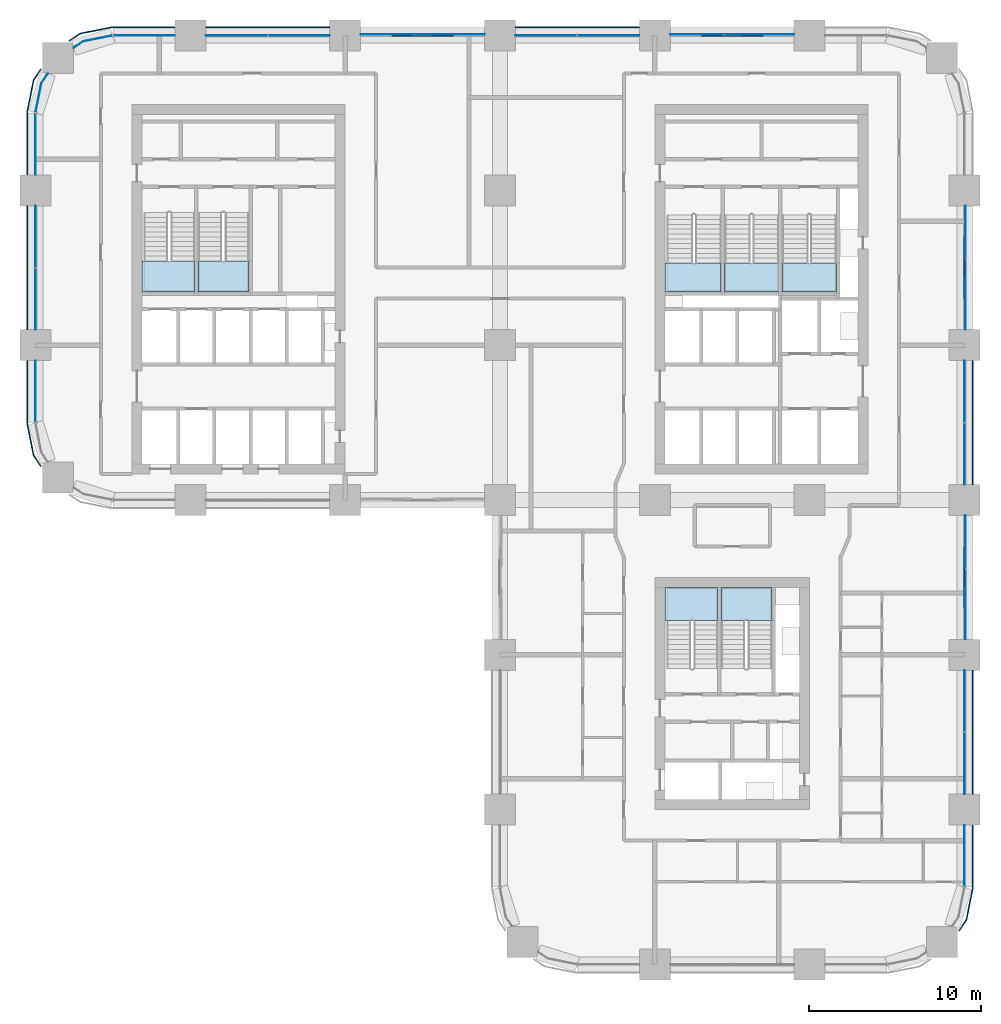
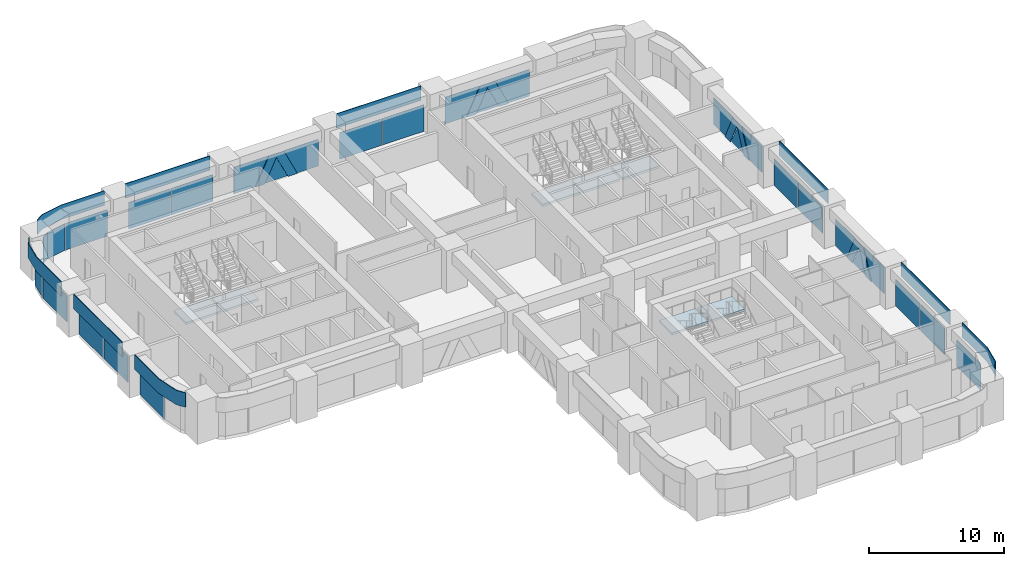
# One storey, part 11 of 24: 41 plates, 7 slabs, 20 elements without a shape of their own.
"""IFC4 building model written with IfcOpenShell, lengths in metres."""

from ifc_helpers import new_model, si_unit, direction, frame, origin, origin_2d, place, context, subcontext, project, spatial, polyline, rectangle, outline, extrude, material, layer, layer_set, type_object, element, aggregate, save


model = new_model("IFC4")

# Units and contexts
model_context = context("Model", 3, precision=1e-05, world=origin(), true_north=direction((0.0, 1.0)))
body_context = subcontext(model_context, "Body", "Model", "MODEL_VIEW")
ifc_project = project(units=[si_unit("LENGTHUNIT", "METRE"), si_unit("AREAUNIT", "SQUARE_METRE"), si_unit("VOLUMEUNIT", "CUBIC_METRE"), si_unit("PLANEANGLEUNIT", "RADIAN"), si_unit("MASSUNIT", "GRAM", prefix="KILO")], contexts=[model_context])

# Site, building, storey
site_placement = place(None, origin())
site = spatial("IfcSite", under=ifc_project, at=site_placement, CompositionType="ELEMENT")
building_placement = place(site_placement, origin())
building = spatial("IfcBuilding", under=site, at=building_placement, Name="Tessera Arch", CompositionType="ELEMENT")
storey_placement = place(building_placement, frame((0.0, 0.0, 112.0)))
storey = spatial("IfcBuildingStorey", under=building, at=storey_placement, Name="L26", CompositionType="ELEMENT", Elevation=112.0)

# Curtain wall, plates
ifc_material_1 = material(Name="CW1 curtain wall")
curtain_wall_type_1 = type_object("IfcCurtainWallType", Name="CW1 curtain wall", PredefinedType="NOTDEFINED", material=ifc_material_1)
curtain_wall_1_placement = place(storey_placement, origin())
curtain_wall_1 = element("IfcCurtainWall", 1, at=curtain_wall_1_placement, inside=storey, type_object=curtain_wall_type_1, Name="CW1 curtain wall N54.0/1 L26", PredefinedType="NOTDEFINED")
ifc_material_2 = material(Name="Clear low-e glass", Category="glass")
ifc_material_3 = material(Name="Clear low-e glass", Category="glass")
ifc_layer_1 = layer(ifc_material_3, 0.028076171875)
ifc_layer_set_1 = layer_set([ifc_layer_1], Name="CW1 glass panel")
plate_type_1 = type_object("IfcPlateType", Name="CW1 glass panel", PredefinedType="CURTAIN_PANEL", material=ifc_layer_set_1)
plate_1_placement = place(storey_placement, frame((33.31494140625, 54.0, 0.0), z_axis=(0.0, 0.0, 1.0), x_axis=(-1.0, 0.0, 0.0)))
plate_1 = element("IfcPlate", 2, at=plate_1_placement, type_object=plate_type_1, material=ifc_material_2, Name="CW1 glass panel N54.0/1 1.1.1", PredefinedType="CURTAIN_PANEL", context=body_context, shape_type="SweptSolid", body=[
    extrude(rectangle(XDim=3.570068359375, YDim=0.028076171875, at=origin_2d()), origin(), (0.0, 0.0, 1.0), 2.39990234375),
])
plate_2_placement = place(storey_placement, frame((29.68505859375, 54.0, 0.0), z_axis=(0.0, 0.0, 1.0), x_axis=(-1.0, 0.0, 0.0)))
plate_2 = element("IfcPlate", 3, at=plate_2_placement, type_object=plate_type_1, material=ifc_material_2, Name="CW1 glass panel N54.0/1 1.2.1", PredefinedType="CURTAIN_PANEL", context=body_context, shape_type="SweptSolid", body=[
    extrude(rectangle(XDim=3.570068359375, YDim=0.028076171875, at=origin_2d()), origin(), (0.0, 0.0, 1.0), 2.39990234375),
])

curtain_wall_2_placement = place(storey_placement, origin())
curtain_wall_2 = element("IfcCurtainWall", 4, at=curtain_wall_2_placement, inside=storey, type_object=curtain_wall_type_1, Name="CW1 curtain wall N54.0/3 L26", PredefinedType="NOTDEFINED")
plate_3_placement = place(storey_placement, frame((15.31494140625, 54.0, 0.0), z_axis=(0.0, 0.0, 1.0), x_axis=(-1.0, 0.0, 0.0)))
plate_3 = element("IfcPlate", 5, at=plate_3_placement, type_object=plate_type_1, material=ifc_material_2, Name="CW1 glass panel N54.0/3 1.1.1", PredefinedType="CURTAIN_PANEL", context=body_context, shape_type="SweptSolid", body=[
    extrude(rectangle(XDim=3.570068359375, YDim=0.028076171875, at=origin_2d()), origin(), (0.0, 0.0, 1.0), 2.39990234375),
])
plate_4_placement = place(storey_placement, frame((11.68505859375, 54.0, 0.0), z_axis=(0.0, 0.0, 1.0), x_axis=(-1.0, 0.0, 0.0)))
plate_4 = element("IfcPlate", 6, at=plate_4_placement, type_object=plate_type_1, material=ifc_material_2, Name="CW1 glass panel N54.0/3 1.2.1", PredefinedType="CURTAIN_PANEL", context=body_context, shape_type="SweptSolid", body=[
    extrude(rectangle(XDim=3.570068359375, YDim=0.028076171875, at=origin_2d()), origin(), (0.0, 0.0, 1.0), 2.39990234375),
])

curtain_wall_3_placement = place(storey_placement, origin())
curtain_wall_3 = element("IfcCurtainWall", 7, at=curtain_wall_3_placement, inside=storey, type_object=curtain_wall_type_1, Name="CW1 curtain wall W0.27/1 L26", PredefinedType="NOTDEFINED")
plate_5_placement = place(storey_placement, frame((0.0, 42.31494140625, 0.0), z_axis=(0.0, 0.0, 1.0), x_axis=(0.0, -1.0, 0.0)))
plate_5 = element("IfcPlate", 8, at=plate_5_placement, type_object=plate_type_1, material=ifc_material_2, Name="CW1 glass panel W0.27/1 1.1.1", PredefinedType="CURTAIN_PANEL", context=body_context, shape_type="SweptSolid", body=[
    extrude(rectangle(XDim=3.570068359375, YDim=0.028076171875, at=origin_2d()), origin(), (0.0, 0.0, 1.0), 2.39990234375),
])
plate_6_placement = place(storey_placement, frame((0.0, 38.68505859375, 0.0), z_axis=(0.0, 0.0, 1.0), x_axis=(0.0, -1.0, 0.0)))
plate_6 = element("IfcPlate", 9, at=plate_6_placement, type_object=plate_type_1, material=ifc_material_2, Name="CW1 glass panel W0.27/1 1.2.1", PredefinedType="CURTAIN_PANEL", context=body_context, shape_type="SweptSolid", body=[
    extrude(rectangle(XDim=3.570068359375, YDim=0.028076171875, at=origin_2d()), origin(), (0.0, 0.0, 1.0), 2.39990234375),
])

curtain_wall_4_placement = place(storey_placement, origin())
curtain_wall_4 = element("IfcCurtainWall", 10, at=curtain_wall_4_placement, inside=storey, type_object=curtain_wall_type_1, Name="CW1 curtain wall E54.0/1 L26", PredefinedType="NOTDEFINED")
plate_7_placement = place(storey_placement, frame((54.0, 11.68505859375, 0.0), z_axis=(0.0, 0.0, 1.0), x_axis=(0.0, 1.0, 0.0)))
plate_7 = element("IfcPlate", 11, at=plate_7_placement, type_object=plate_type_1, material=ifc_material_2, Name="CW1 glass panel E54.0/1 1.1.1", PredefinedType="CURTAIN_PANEL", context=body_context, shape_type="SweptSolid", body=[
    extrude(rectangle(XDim=3.570068359375, YDim=0.028076171875, at=origin_2d()), origin(), (0.0, 0.0, 1.0), 2.39990234375),
])
plate_8_placement = place(storey_placement, frame((54.0, 15.31494140625, 0.0), z_axis=(0.0, 0.0, 1.0), x_axis=(0.0, 1.0, 0.0)))
plate_8 = element("IfcPlate", 12, at=plate_8_placement, type_object=plate_type_1, material=ifc_material_2, Name="CW1 glass panel E54.0/1 1.2.1", PredefinedType="CURTAIN_PANEL", context=body_context, shape_type="SweptSolid", body=[
    extrude(rectangle(XDim=3.570068359375, YDim=0.028076171875, at=origin_2d()), origin(), (0.0, 0.0, 1.0), 2.39990234375),
])

curtain_wall_5_placement = place(storey_placement, origin())
curtain_wall_5 = element("IfcCurtainWall", 13, at=curtain_wall_5_placement, inside=storey, type_object=curtain_wall_type_1, Name="CW1 curtain wall E54.0/3 L26", PredefinedType="NOTDEFINED")
plate_9_placement = place(storey_placement, frame((54.0, 29.68505859375, 0.0), z_axis=(0.0, 0.0, 1.0), x_axis=(0.0, 1.0, 0.0)))
plate_9 = element("IfcPlate", 14, at=plate_9_placement, type_object=plate_type_1, material=ifc_material_2, Name="CW1 glass panel E54.0/3 1.1.1", PredefinedType="CURTAIN_PANEL", context=body_context, shape_type="SweptSolid", body=[
    extrude(rectangle(XDim=3.570068359375, YDim=0.028076171875, at=origin_2d()), origin(), (0.0, 0.0, 1.0), 2.39990234375),
])
plate_10_placement = place(storey_placement, frame((54.0, 33.31494140625, 0.0), z_axis=(0.0, 0.0, 1.0), x_axis=(0.0, 1.0, 0.0)))
plate_10 = element("IfcPlate", 15, at=plate_10_placement, type_object=plate_type_1, material=ifc_material_2, Name="CW1 glass panel E54.0/3 1.2.1", PredefinedType="CURTAIN_PANEL", context=body_context, shape_type="SweptSolid", body=[
    extrude(rectangle(XDim=3.570068359375, YDim=0.028076171875, at=origin_2d()), origin(), (0.0, 0.0, 1.0), 2.39990234375),
])

# Plate
ifc_material_4 = material(Name="Pale anodised aluminium panel", Category="aluminium")
ifc_layer_2 = layer(ifc_material_4, 0.06005859375)
ifc_layer_set_2 = layer_set([ifc_layer_2], Name="CW1 spandrel panel")
plate_type_2 = type_object("IfcPlateType", Name="CW1 spandrel panel", PredefinedType="CURTAIN_PANEL", material=ifc_layer_set_2)
plate_11_placement = place(storey_placement, frame((31.5, 54.47998046875, 2.5), z_axis=(0.0, 0.0, 1.0), x_axis=(-1.0, 0.0, 0.0)))
plate_11 = element("IfcPlate", 16, at=plate_11_placement, type_object=plate_type_2, Name="CW1 spandrel panel N54.0/1", PredefinedType="CURTAIN_PANEL", context=body_context, shape_type="SweptSolid", body=[
    extrude(rectangle(XDim=7.199951171875, YDim=0.06005859375, at=origin_2d()), origin(), (0.0, 0.0, 1.0), 1.300048828125),
])

aggregate(curtain_wall_1, [plate_1, plate_2, plate_11])

plate_12_placement = place(storey_placement, frame((13.5, 54.47998046875, 2.5), z_axis=(0.0, 0.0, 1.0), x_axis=(-1.0, 0.0, 0.0)))
plate_12 = element("IfcPlate", 17, at=plate_12_placement, type_object=plate_type_2, Name="CW1 spandrel panel N54.0/3", PredefinedType="CURTAIN_PANEL", context=body_context, shape_type="SweptSolid", body=[
    extrude(rectangle(XDim=7.199951171875, YDim=0.06005859375, at=origin_2d()), origin(), (0.0, 0.0, 1.0), 1.300048828125),
])

aggregate(curtain_wall_2, [plate_3, plate_4, plate_12])

plate_13_placement = place(storey_placement, frame((-0.47998046875, 40.5, 2.5), z_axis=(0.0, 0.0, 1.0), x_axis=(0.0, -1.0, 0.0)))
plate_13 = element("IfcPlate", 18, at=plate_13_placement, type_object=plate_type_2, Name="CW1 spandrel panel W0.27/1", PredefinedType="CURTAIN_PANEL", context=body_context, shape_type="SweptSolid", body=[
    extrude(rectangle(XDim=7.199951171875, YDim=0.06005859375, at=origin_2d()), origin(), (0.0, 0.0, 1.0), 1.300048828125),
])

aggregate(curtain_wall_3, [plate_5, plate_6, plate_13])

plate_14_placement = place(storey_placement, frame((54.47998046875, 13.5, 2.5), z_axis=(0.0, 0.0, 1.0), x_axis=(0.0, 1.0, 0.0)))
plate_14 = element("IfcPlate", 19, at=plate_14_placement, type_object=plate_type_2, Name="CW1 spandrel panel E54.0/1", PredefinedType="CURTAIN_PANEL", context=body_context, shape_type="SweptSolid", body=[
    extrude(rectangle(XDim=7.199951171875, YDim=0.06005859375, at=origin_2d()), origin(), (0.0, 0.0, 1.0), 1.300048828125),
])

aggregate(curtain_wall_4, [plate_7, plate_8, plate_14])

plate_15_placement = place(storey_placement, frame((54.47998046875, 31.5, 2.5), z_axis=(0.0, 0.0, 1.0), x_axis=(0.0, 1.0, 0.0)))
plate_15 = element("IfcPlate", 20, at=plate_15_placement, type_object=plate_type_2, Name="CW1 spandrel panel E54.0/3", PredefinedType="CURTAIN_PANEL", context=body_context, shape_type="SweptSolid", body=[
    extrude(rectangle(XDim=7.199951171875, YDim=0.06005859375, at=origin_2d()), origin(), (0.0, 0.0, 1.0), 1.300048828125),
])

aggregate(curtain_wall_5, [plate_9, plate_10, plate_15])

# Curtain wall, plates
ifc_material_5 = material(Name="CW2 curtain wall")
curtain_wall_type_2 = type_object("IfcCurtainWallType", Name="CW2 curtain wall", PredefinedType="NOTDEFINED", material=ifc_material_5)
curtain_wall_6_placement = place(storey_placement, origin())
curtain_wall_6 = element("IfcCurtainWall", 21, at=curtain_wall_6_placement, inside=storey, type_object=curtain_wall_type_2, Name="CW2 curtain wall N54.0/4 L26", PredefinedType="NOTDEFINED")
ifc_material_6 = material(Name="Clear low-e glass", Category="glass")
ifc_layer_3 = layer(ifc_material_6, 0.028076171875)
ifc_layer_set_3 = layer_set([ifc_layer_3], Name="CW2 glass panel")
plate_type_3 = type_object("IfcPlateType", Name="CW2 glass panel", PredefinedType="CURTAIN_PANEL", material=ifc_layer_set_3)
plate_16_placement = place(storey_placement, frame((6.320068359375, 54.0, 0.0), z_axis=(0.0, 0.0, 1.0), x_axis=(-1.0, 0.0, 0.0)))
plate_16 = element("IfcPlate", 22, at=plate_16_placement, type_object=plate_type_3, material=ifc_material_2, Name="CW2 glass panel N54.0/4 1.1", PredefinedType="CURTAIN_PANEL", context=body_context, shape_type="SweptSolid", body=[
    extrude(rectangle(XDim=3.56005859375, YDim=0.028076171875, at=origin_2d()), origin(), (0.0, 0.0, 1.0), 2.39990234375),
])
plate_17_placement = place(storey_placement, origin())
plate_17 = element("IfcPlate", 23, at=plate_17_placement, type_object=plate_type_3, material=ifc_material_2, Name="CW2 curved glass panel N54.0/4 2.1", PredefinedType="CURTAIN_PANEL", context=body_context, shape_type="SweptSolid", body=[
    extrude(outline(polyline([(2.783447265625, 53.644287109375), (4.46337890625, 53.978515625), (4.4580078125, 54.005859375), (2.7724609375, 53.670654296875), (2.210205078125, 53.294921875), (2.225830078125, 53.271728515625), (2.783447265625, 53.644287109375)])), origin(), (0.0, 0.0, 1.0), 2.39990234375),
])

curtain_wall_7_placement = place(storey_placement, origin())
curtain_wall_7 = element("IfcCurtainWall", 24, at=curtain_wall_7_placement, inside=storey, type_object=curtain_wall_type_2, Name="CW2 curtain wall W0.27/0 L26", PredefinedType="NOTDEFINED")
plate_18_placement = place(storey_placement, frame((0.0, 47.679931640625, 0.0), z_axis=(0.0, 0.0, 1.0), x_axis=(0.0, -1.0, 0.0)))
plate_18 = element("IfcPlate", 25, at=plate_18_placement, type_object=plate_type_3, material=ifc_material_2, Name="CW2 glass panel W0.27/0 1.1", PredefinedType="CURTAIN_PANEL", context=body_context, shape_type="SweptSolid", body=[
    extrude(rectangle(XDim=3.56005859375, YDim=0.028076171875, at=origin_2d()), origin(), (0.0, 0.0, 1.0), 2.39990234375),
])
plate_19_placement = place(storey_placement, origin())
plate_19 = element("IfcPlate", 26, at=plate_19_placement, type_object=plate_type_3, material=ifc_material_2, Name="CW2 curved glass panel W0.27/0 2.1", PredefinedType="CURTAIN_PANEL", context=body_context, shape_type="SweptSolid", body=[
    extrude(outline(polyline([(0.355712890625, 51.216552734375), (0.728271484375, 51.774169921875), (0.705078125, 51.789794921875), (0.329345703125, 51.2275390625), (-0.005859375, 49.5419921875), (0.021484375, 49.53662109375), (0.355712890625, 51.216552734375)])), origin(), (0.0, 0.0, 1.0), 2.39990234375),
])

# Curtain wall, plate
curtain_wall_8_placement = place(storey_placement, origin())
curtain_wall_8 = element("IfcCurtainWall", 27, at=curtain_wall_8_placement, inside=storey, type_object=curtain_wall_type_2, Name="CW2 curtain wall W0.27/2 L26", PredefinedType="NOTDEFINED")
plate_20_placement = place(storey_placement, frame((0.0, 33.320068359375, 0.0), z_axis=(0.0, 0.0, 1.0), x_axis=(0.0, -1.0, 0.0)))
plate_20 = element("IfcPlate", 28, at=plate_20_placement, type_object=plate_type_3, material=ifc_material_2, Name="CW2 glass panel W0.27/2 1.1", PredefinedType="CURTAIN_PANEL", context=body_context, shape_type="SweptSolid", body=[
    extrude(rectangle(XDim=3.56005859375, YDim=0.028076171875, at=origin_2d()), origin(), (0.0, 0.0, 1.0), 2.39990234375),
])

curtain_wall_9_placement = place(storey_placement, origin())
curtain_wall_9 = element("IfcCurtainWall", 29, at=curtain_wall_9_placement, inside=storey, type_object=curtain_wall_type_2, Name="CW2 curtain wall E54.0/0 L26", PredefinedType="NOTDEFINED")
plate_21_placement = place(storey_placement, frame((54.0, 6.320068359375, 0.0), z_axis=(0.0, 0.0, 1.0), x_axis=(0.0, 1.0, 0.0)))
plate_21 = element("IfcPlate", 30, at=plate_21_placement, type_object=plate_type_3, material=ifc_material_2, Name="CW2 glass panel E54.0/0 1.1", PredefinedType="CURTAIN_PANEL", context=body_context, shape_type="SweptSolid", body=[
    extrude(rectangle(XDim=3.56005859375, YDim=0.028076171875, at=origin_2d()), origin(), (0.0, 0.0, 1.0), 2.39990234375),
])

# Plate
ifc_material_7 = material(Name="Pale anodised aluminium panel", Category="aluminium")
ifc_layer_4 = layer(ifc_material_7, 0.06005859375)
ifc_layer_set_4 = layer_set([ifc_layer_4], Name="CW2 spandrel panel")
plate_type_4 = type_object("IfcPlateType", Name="CW2 spandrel panel", PredefinedType="CURTAIN_PANEL", material=ifc_layer_set_4)
plate_22_placement = place(storey_placement, frame((0.0, 0.0, 2.5)))
plate_22 = element("IfcPlate", 31, at=plate_22_placement, type_object=plate_type_4, Name="CW2 spandrel panel N54.0/4", PredefinedType="CURTAIN_PANEL", context=body_context, shape_type="SweptSolid", body=[
    extrude(outline(polyline([(4.500732421875, 54.449951171875), (8.10009765625, 54.449951171875), (8.10009765625, 54.510009765625), (4.499267578125, 54.510009765625), (4.449951171875, 54.507568359375), (4.401123046875, 54.500244140625), (2.677734375, 54.157470703125), (2.6298828125, 54.1455078125), (2.582763671875, 54.128662109375), (2.537353515625, 54.107177734375), (2.4951171875, 54.08203125), (1.9345703125, 53.707275390625), (1.968017578125, 53.657470703125), (2.52734375, 54.03125), (2.565673828125, 54.05419921875), (2.605712890625, 54.0732421875), (2.647216796875, 54.088134765625), (2.69091796875, 54.09912109375), (4.411376953125, 54.441162109375), (4.455810546875, 54.44775390625), (4.500732421875, 54.449951171875)])), origin(), (0.0, 0.0, 1.0), 1.300048828125),
])

aggregate(curtain_wall_6, [plate_16, plate_17, plate_22])

plate_23_placement = place(storey_placement, frame((0.0, 0.0, 2.5)))
plate_23 = element("IfcPlate", 32, at=plate_23_placement, type_object=plate_type_4, Name="CW2 spandrel panel W0.27/0", PredefinedType="CURTAIN_PANEL", context=body_context, shape_type="SweptSolid", body=[
    extrude(outline(polyline([(-0.03125, 51.47265625), (0.342529296875, 52.031982421875), (0.292724609375, 52.0654296875), (-0.08203125, 51.5048828125), (-0.107177734375, 51.462646484375), (-0.128662109375, 51.417236328125), (-0.1455078125, 51.3701171875), (-0.157470703125, 51.322265625), (-0.500244140625, 49.598876953125), (-0.507568359375, 49.550048828125), (-0.510009765625, 49.500732421875), (-0.510009765625, 45.89990234375), (-0.449951171875, 45.89990234375), (-0.449951171875, 49.499267578125), (-0.44775390625, 49.544189453125), (-0.441162109375, 49.588623046875), (-0.09912109375, 51.30908203125), (-0.088134765625, 51.352783203125), (-0.0732421875, 51.394287109375), (-0.05419921875, 51.434326171875), (-0.03125, 51.47265625)])), origin(), (0.0, 0.0, 1.0), 1.300048828125),
])

aggregate(curtain_wall_7, [plate_18, plate_19, plate_23])

plate_24_placement = place(storey_placement, frame((0.0, 0.0, 2.5)))
plate_24 = element("IfcPlate", 33, at=plate_24_placement, type_object=plate_type_4, Name="CW2 spandrel panel W0.27/2", PredefinedType="CURTAIN_PANEL", context=body_context, shape_type="SweptSolid", body=[
    extrude(outline(polyline([(-0.449951171875, 31.500732421875), (-0.449951171875, 35.10009765625), (-0.510009765625, 35.10009765625), (-0.510009765625, 31.499267578125), (-0.507568359375, 31.449951171875), (-0.500244140625, 31.401123046875), (-0.157470703125, 29.677734375), (-0.1455078125, 29.6298828125), (-0.128662109375, 29.582763671875), (-0.107177734375, 29.537353515625), (-0.08203125, 29.4951171875), (0.292724609375, 28.9345703125), (0.342529296875, 28.968017578125), (-0.03125, 29.52734375), (-0.05419921875, 29.565673828125), (-0.0732421875, 29.605712890625), (-0.088134765625, 29.647216796875), (-0.09912109375, 29.69091796875), (-0.441162109375, 31.411376953125), (-0.44775390625, 31.455810546875), (-0.449951171875, 31.500732421875)])), origin(), (0.0, 0.0, 1.0), 1.300048828125),
])

aggregate(curtain_wall_8, [plate_20, plate_24])

plate_25_placement = place(storey_placement, frame((0.0, 0.0, 2.5)))
plate_25 = element("IfcPlate", 34, at=plate_25_placement, type_object=plate_type_4, Name="CW2 spandrel panel E54.0/0", PredefinedType="CURTAIN_PANEL", context=body_context, shape_type="SweptSolid", body=[
    extrude(outline(polyline([(54.03125, 2.52734375), (53.657470703125, 1.968017578125), (53.707275390625, 1.9345703125), (54.08203125, 2.4951171875), (54.107177734375, 2.537353515625), (54.128662109375, 2.582763671875), (54.1455078125, 2.6298828125), (54.157470703125, 2.677734375), (54.500244140625, 4.401123046875), (54.507568359375, 4.449951171875), (54.510009765625, 4.499267578125), (54.510009765625, 8.10009765625), (54.449951171875, 8.10009765625), (54.449951171875, 4.500732421875), (54.44775390625, 4.455810546875), (54.441162109375, 4.411376953125), (54.09912109375, 2.69091796875), (54.088134765625, 2.647216796875), (54.0732421875, 2.605712890625), (54.05419921875, 2.565673828125), (54.03125, 2.52734375)])), origin(), (0.0, 0.0, 1.0), 1.300048828125),
])

aggregate(curtain_wall_9, [plate_21, plate_25])

# Curtain wall, plate
ifc_material_8 = material(Name="CW3 curtain wall")
curtain_wall_type_3 = type_object("IfcCurtainWallType", Name="CW3 curtain wall", PredefinedType="NOTDEFINED", material=ifc_material_8)
curtain_wall_10_placement = place(storey_placement, origin())
curtain_wall_10 = element("IfcCurtainWall", 35, at=curtain_wall_10_placement, inside=storey, type_object=curtain_wall_type_3, Name="CW3 curtain wall N54.0/0 L26", PredefinedType="NOTDEFINED")
ifc_material_9 = material(Name="Pale anodised aluminium panel", Category="aluminium")
ifc_layer_5 = layer(ifc_material_9, 0.06005859375)
ifc_layer_set_5 = layer_set([ifc_layer_5], Name="CW3 diagonal panel")
plate_type_5 = type_object("IfcPlateType", Name="CW3 diagonal panel", PredefinedType="CURTAIN_PANEL", material=ifc_layer_set_5)
plate_26_placement = place(storey_placement, frame((39.85986328125, 54.030029296875, 2.39990234375), z_axis=(0.0, 1.0, 0.0), x_axis=(1.0, 0.0, 0.0)))
plate_26 = element("IfcPlate", 36, at=plate_26_placement, type_object=plate_type_5, Name="CW3 diagonal panel N54.0/0 1", PredefinedType="CURTAIN_PANEL", context=body_context, shape_type="SweptSolid", body=[
    extrude(outline(polyline([(0.0, 0.0), (1.2802734375, 0.0), (2.43212890625, 2.39990234375), (1.632080078125, 2.39990234375), (0.64013671875, 0.33349609375), (-0.351806640625, 2.39990234375), (-1.15185546875, 2.39990234375), (0.0, 0.0)])), origin(), (0.0, 0.0, -1.0), 0.06005859375),
])

curtain_wall_11_placement = place(storey_placement, origin())
curtain_wall_11 = element("IfcCurtainWall", 37, at=curtain_wall_11_placement, inside=storey, type_object=curtain_wall_type_3, Name="CW3 curtain wall N54.0/2 L26", PredefinedType="NOTDEFINED")
plate_27_placement = place(storey_placement, frame((21.85986328125, 54.030029296875, 2.39990234375), z_axis=(0.0, 1.0, 0.0), x_axis=(1.0, 0.0, 0.0)))
plate_27 = element("IfcPlate", 38, at=plate_27_placement, type_object=plate_type_5, Name="CW3 diagonal panel N54.0/2 1", PredefinedType="CURTAIN_PANEL", context=body_context, shape_type="SweptSolid", body=[
    extrude(outline(polyline([(0.0, 0.0), (1.2802734375, 0.0), (2.43212890625, 2.39990234375), (1.632080078125, 2.39990234375), (0.64013671875, 0.33349609375), (-0.351806640625, 2.39990234375), (-1.15185546875, 2.39990234375), (0.0, 0.0)])), origin(), (0.0, 0.0, -1.0), 0.06005859375),
])

curtain_wall_12_placement = place(storey_placement, origin())
curtain_wall_12 = element("IfcCurtainWall", 39, at=curtain_wall_12_placement, inside=storey, type_object=curtain_wall_type_3, Name="CW3 curtain wall E54.0/2 L26", PredefinedType="NOTDEFINED")
plate_28_placement = place(storey_placement, frame((54.030029296875, 23.14013671875, 2.39990234375), z_axis=(1.0, 0.0, 0.0), x_axis=(0.0, -1.0, 0.0)))
plate_28 = element("IfcPlate", 40, at=plate_28_placement, type_object=plate_type_5, Name="CW3 diagonal panel E54.0/2 1", PredefinedType="CURTAIN_PANEL", context=body_context, shape_type="SweptSolid", body=[
    extrude(outline(polyline([(0.0, 0.0), (1.2802734375, 0.0), (2.43212890625, 2.39990234375), (1.632080078125, 2.39990234375), (0.64013671875, 0.33349609375), (-0.351806640625, 2.39990234375), (-1.15185546875, 2.39990234375), (0.0, 0.0)])), origin(), (0.0, 0.0, -1.0), 0.06005859375),
])

curtain_wall_13_placement = place(storey_placement, origin())
curtain_wall_13 = element("IfcCurtainWall", 41, at=curtain_wall_13_placement, inside=storey, type_object=curtain_wall_type_3, Name="CW3 curtain wall E54.0/4 L26", PredefinedType="NOTDEFINED")
plate_29_placement = place(storey_placement, frame((54.030029296875, 41.14013671875, 2.39990234375), z_axis=(1.0, 0.0, 0.0), x_axis=(0.0, -1.0, 0.0)))
plate_29 = element("IfcPlate", 42, at=plate_29_placement, type_object=plate_type_5, Name="CW3 diagonal panel E54.0/4 1", PredefinedType="CURTAIN_PANEL", context=body_context, shape_type="SweptSolid", body=[
    extrude(outline(polyline([(0.0, 0.0), (1.2802734375, 0.0), (2.43212890625, 2.39990234375), (1.632080078125, 2.39990234375), (0.64013671875, 0.33349609375), (-0.351806640625, 2.39990234375), (-1.15185546875, 2.39990234375), (0.0, 0.0)])), origin(), (0.0, 0.0, -1.0), 0.06005859375),
])

# Plate
ifc_material_10 = material(Name="Clear low-e glass", Category="glass")
ifc_layer_6 = layer(ifc_material_10, 0.028076171875)
ifc_layer_set_6 = layer_set([ifc_layer_6], Name="CW3 glass panel")
plate_type_6 = type_object("IfcPlateType", Name="CW3 glass panel", PredefinedType="CURTAIN_PANEL", material=ifc_layer_set_6)
plate_30_placement = place(storey_placement, frame((44.10009765625, 54.05810546875, 0.0), z_axis=(0.0, 1.0, 0.0), x_axis=(-1.0, 0.0, 0.0)))
plate_30 = element("IfcPlate", 43, at=plate_30_placement, type_object=plate_type_6, material=ifc_material_2, Name="CW3 triangulated glass panel N54.0/0 1", PredefinedType="CURTAIN_PANEL", context=body_context, shape_type="SweptSolid", body=[
    extrude(outline(polyline([(0.0, 0.0), (1.80810546875, 0.0), (2.9599609375, 2.39990234375), (0.0, 2.39990234375), (0.0, 0.0)])), origin(), (0.0, 0.0, -1.0), 0.028076171875),
])

plate_31_placement = place(storey_placement, frame((41.491943359375, 54.0859375, 0.0), z_axis=(0.0, 1.0, 0.0), x_axis=(-1.0, 0.0, 0.0)))
plate_31 = element("IfcPlate", 44, at=plate_31_placement, type_object=plate_type_6, material=ifc_material_2, Name="CW3 triangulated glass panel N54.0/0 2", PredefinedType="CURTAIN_PANEL", context=body_context, shape_type="SweptSolid", body=[
    extrude(outline(polyline([(0.0, 0.0), (1.98388671875, 0.0), (0.991943359375, 2.06640625), (0.0, 0.0)])), origin(), (0.0, 0.0, -1.0), 0.028076171875),
])

plate_32_placement = place(storey_placement, frame((36.89990234375, 54.05810546875, 2.39990234375), z_axis=(0.0, 1.0, 0.0), x_axis=(1.0, 0.0, 0.0)))
plate_32 = element("IfcPlate", 45, at=plate_32_placement, type_object=plate_type_6, material=ifc_material_2, Name="CW3 triangulated glass panel N54.0/0 3", PredefinedType="CURTAIN_PANEL", context=body_context, shape_type="SweptSolid", body=[
    extrude(outline(polyline([(0.0, 0.0), (2.9599609375, 0.0), (1.80810546875, 2.39990234375), (0.0, 2.39990234375), (0.0, 0.0)])), origin(), (0.0, 0.0, -1.0), 0.028076171875),
])

aggregate(curtain_wall_10, [plate_30, plate_31, plate_32, plate_26])

plate_33_placement = place(storey_placement, frame((26.10009765625, 54.05810546875, 0.0), z_axis=(0.0, 1.0, 0.0), x_axis=(-1.0, 0.0, 0.0)))
plate_33 = element("IfcPlate", 46, at=plate_33_placement, type_object=plate_type_6, material=ifc_material_2, Name="CW3 triangulated glass panel N54.0/2 1", PredefinedType="CURTAIN_PANEL", context=body_context, shape_type="SweptSolid", body=[
    extrude(outline(polyline([(0.0, 0.0), (1.80810546875, 0.0), (2.9599609375, 2.39990234375), (0.0, 2.39990234375), (0.0, 0.0)])), origin(), (0.0, 0.0, -1.0), 0.028076171875),
])

plate_34_placement = place(storey_placement, frame((23.491943359375, 54.0859375, 0.0), z_axis=(0.0, 1.0, 0.0), x_axis=(-1.0, 0.0, 0.0)))
plate_34 = element("IfcPlate", 47, at=plate_34_placement, type_object=plate_type_6, material=ifc_material_2, Name="CW3 triangulated glass panel N54.0/2 2", PredefinedType="CURTAIN_PANEL", context=body_context, shape_type="SweptSolid", body=[
    extrude(outline(polyline([(0.0, 0.0), (1.98388671875, 0.0), (0.991943359375, 2.06640625), (0.0, 0.0)])), origin(), (0.0, 0.0, -1.0), 0.028076171875),
])

plate_35_placement = place(storey_placement, frame((18.89990234375, 54.05810546875, 2.39990234375), z_axis=(0.0, 1.0, 0.0), x_axis=(1.0, 0.0, 0.0)))
plate_35 = element("IfcPlate", 48, at=plate_35_placement, type_object=plate_type_6, material=ifc_material_2, Name="CW3 triangulated glass panel N54.0/2 3", PredefinedType="CURTAIN_PANEL", context=body_context, shape_type="SweptSolid", body=[
    extrude(outline(polyline([(0.0, 0.0), (2.9599609375, 0.0), (1.80810546875, 2.39990234375), (0.0, 2.39990234375), (0.0, 0.0)])), origin(), (0.0, 0.0, -1.0), 0.028076171875),
])

aggregate(curtain_wall_11, [plate_33, plate_34, plate_35, plate_27])

plate_36_placement = place(storey_placement, frame((54.05810546875, 18.89990234375, 0.0), z_axis=(1.0, 0.0, 0.0), x_axis=(0.0, 1.0, 0.0)))
plate_36 = element("IfcPlate", 49, at=plate_36_placement, type_object=plate_type_6, material=ifc_material_2, Name="CW3 triangulated glass panel E54.0/2 1", PredefinedType="CURTAIN_PANEL", context=body_context, shape_type="SweptSolid", body=[
    extrude(outline(polyline([(0.0, 0.0), (1.80810546875, 0.0), (2.9599609375, 2.39990234375), (0.0, 2.39990234375), (0.0, 0.0)])), origin(), (0.0, 0.0, -1.0), 0.028076171875),
])

plate_37_placement = place(storey_placement, frame((54.0859375, 21.508056640625, 0.0), z_axis=(1.0, 0.0, 0.0), x_axis=(0.0, 1.0, 0.0)))
plate_37 = element("IfcPlate", 50, at=plate_37_placement, type_object=plate_type_6, material=ifc_material_2, Name="CW3 triangulated glass panel E54.0/2 2", PredefinedType="CURTAIN_PANEL", context=body_context, shape_type="SweptSolid", body=[
    extrude(outline(polyline([(0.0, 0.0), (1.98388671875, 0.0), (0.991943359375, 2.06640625), (0.0, 0.0)])), origin(), (0.0, 0.0, -1.0), 0.028076171875),
])

plate_38_placement = place(storey_placement, frame((54.05810546875, 26.10009765625, 2.39990234375), z_axis=(1.0, 0.0, 0.0), x_axis=(0.0, -1.0, 0.0)))
plate_38 = element("IfcPlate", 51, at=plate_38_placement, type_object=plate_type_6, material=ifc_material_2, Name="CW3 triangulated glass panel E54.0/2 3", PredefinedType="CURTAIN_PANEL", context=body_context, shape_type="SweptSolid", body=[
    extrude(outline(polyline([(0.0, 0.0), (2.9599609375, 0.0), (1.80810546875, 2.39990234375), (0.0, 2.39990234375), (0.0, 0.0)])), origin(), (0.0, 0.0, -1.0), 0.028076171875),
])

aggregate(curtain_wall_12, [plate_36, plate_37, plate_38, plate_28])

plate_39_placement = place(storey_placement, frame((54.05810546875, 36.89990234375, 0.0), z_axis=(1.0, 0.0, 0.0), x_axis=(0.0, 1.0, 0.0)))
plate_39 = element("IfcPlate", 52, at=plate_39_placement, type_object=plate_type_6, material=ifc_material_2, Name="CW3 triangulated glass panel E54.0/4 1", PredefinedType="CURTAIN_PANEL", context=body_context, shape_type="SweptSolid", body=[
    extrude(outline(polyline([(0.0, 0.0), (1.80810546875, 0.0), (2.9599609375, 2.39990234375), (0.0, 2.39990234375), (0.0, 0.0)])), origin(), (0.0, 0.0, -1.0), 0.028076171875),
])

plate_40_placement = place(storey_placement, frame((54.0859375, 39.508056640625, 0.0), z_axis=(1.0, 0.0, 0.0), x_axis=(0.0, 1.0, 0.0)))
plate_40 = element("IfcPlate", 53, at=plate_40_placement, type_object=plate_type_6, material=ifc_material_2, Name="CW3 triangulated glass panel E54.0/4 2", PredefinedType="CURTAIN_PANEL", context=body_context, shape_type="SweptSolid", body=[
    extrude(outline(polyline([(0.0, 0.0), (1.98388671875, 0.0), (0.991943359375, 2.06640625), (0.0, 0.0)])), origin(), (0.0, 0.0, -1.0), 0.028076171875),
])

plate_41_placement = place(storey_placement, frame((54.05810546875, 44.10009765625, 2.39990234375), z_axis=(1.0, 0.0, 0.0), x_axis=(0.0, -1.0, 0.0)))
plate_41 = element("IfcPlate", 54, at=plate_41_placement, type_object=plate_type_6, material=ifc_material_2, Name="CW3 triangulated glass panel E54.0/4 3", PredefinedType="CURTAIN_PANEL", context=body_context, shape_type="SweptSolid", body=[
    extrude(outline(polyline([(0.0, 0.0), (2.9599609375, 0.0), (1.80810546875, 2.39990234375), (0.0, 2.39990234375), (0.0, 0.0)])), origin(), (0.0, 0.0, -1.0), 0.028076171875),
])

aggregate(curtain_wall_13, [plate_39, plate_40, plate_41, plate_29])

# Stair, slab
ifc_material_11 = material(Name="Concrete C40/50", Category="concrete")
stair_type_1 = type_object("IfcStairType", Name="Dogleg stair 1520", PredefinedType="HALF_TURN_STAIR", material=ifc_material_11)
stair_1_placement = place(storey_placement, origin())
stair_1 = element("IfcStair", 55, at=stair_1_placement, inside=storey, type_object=stair_type_1, Name="L26 S1a", PredefinedType="HALF_TURN_STAIR")
ifc_material_12 = material(Name="Concrete C40/50", Category="concrete")
ifc_layer_7 = layer(ifc_material_12, 0.300048828125)
ifc_layer_set_7 = layer_set([ifc_layer_7], Name="Stair landing 300")
slab_type = type_object("IfcSlabType", Name="Stair landing 300", PredefinedType="LANDING", material=ifc_layer_set_7)
slab_1_placement = place(storey_placement, frame((0.0, 0.0, 1.699951171875)))
slab_1 = element("IfcSlab", 56, at=slab_1_placement, type_object=slab_type, Name="S1a landing 1", PredefinedType="LANDING", context=body_context, shape_type="SweptSolid", body=[
    extrude(outline(polyline([(36.60009765625, 40.780029296875), (36.60009765625, 39.10009765625), (39.85009765625, 39.10009765625), (39.85009765625, 40.780029296875), (36.60009765625, 40.780029296875)])), origin(), (0.0, 0.0, 1.0), 0.199951171875),
])
aggregate(stair_1, [slab_1])

stair_2_placement = place(storey_placement, origin())
stair_2 = element("IfcStair", 57, at=stair_2_placement, inside=storey, type_object=stair_type_1, Name="L26 S1b", PredefinedType="HALF_TURN_STAIR")
slab_2_placement = place(storey_placement, frame((0.0, 0.0, 1.699951171875)))
slab_2 = element("IfcSlab", 58, at=slab_2_placement, type_object=slab_type, Name="S1b landing 1", PredefinedType="LANDING", context=body_context, shape_type="SweptSolid", body=[
    extrude(outline(polyline([(40.050048828125, 40.780029296875), (40.050048828125, 39.10009765625), (43.199951171875, 39.10009765625), (43.199951171875, 40.780029296875), (40.050048828125, 40.780029296875)])), origin(), (0.0, 0.0, 1.0), 0.199951171875),
])
aggregate(stair_2, [slab_2])

stair_3_placement = place(storey_placement, origin())
stair_3 = element("IfcStair", 59, at=stair_3_placement, inside=storey, type_object=stair_type_1, Name="L26 S1c", PredefinedType="HALF_TURN_STAIR")
slab_3_placement = place(storey_placement, frame((0.0, 0.0, 1.699951171875)))
slab_3 = element("IfcSlab", 60, at=slab_3_placement, type_object=slab_type, Name="S1c landing 1", PredefinedType="LANDING", context=body_context, shape_type="SweptSolid", body=[
    extrude(outline(polyline([(43.39990234375, 40.780029296875), (43.39990234375, 39.10009765625), (46.550048828125, 39.10009765625), (46.550048828125, 40.780029296875), (43.39990234375, 40.780029296875)])), origin(), (0.0, 0.0, 1.0), 0.199951171875),
])
aggregate(stair_3, [slab_3])

ifc_material_13 = material(Name="Concrete C40/50", Category="concrete")
stair_type_2 = type_object("IfcStairType", Name="Dogleg stair 1400", PredefinedType="HALF_TURN_STAIR", material=ifc_material_13)
stair_4_placement = place(storey_placement, origin())
stair_4 = element("IfcStair", 61, at=stair_4_placement, inside=storey, type_object=stair_type_2, Name="L26 S2a", PredefinedType="HALF_TURN_STAIR")
slab_4_placement = place(storey_placement, frame((0.0, 0.0, 1.699951171875)))
slab_4 = element("IfcSlab", 62, at=slab_4_placement, type_object=slab_type, Name="S2a landing 1", PredefinedType="LANDING", context=body_context, shape_type="SweptSolid", body=[
    extrude(outline(polyline([(6.199951171875, 40.89990234375), (6.199951171875, 39.10009765625), (9.25, 39.10009765625), (9.25, 40.89990234375), (6.199951171875, 40.89990234375)])), origin(), (0.0, 0.0, 1.0), 0.199951171875),
])
aggregate(stair_4, [slab_4])

stair_5_placement = place(storey_placement, origin())
stair_5 = element("IfcStair", 63, at=stair_5_placement, inside=storey, type_object=stair_type_2, Name="L26 S2b", PredefinedType="HALF_TURN_STAIR")
slab_5_placement = place(storey_placement, frame((0.0, 0.0, 1.699951171875)))
slab_5 = element("IfcSlab", 64, at=slab_5_placement, type_object=slab_type, Name="S2b landing 1", PredefinedType="LANDING", context=body_context, shape_type="SweptSolid", body=[
    extrude(outline(polyline([(9.449951171875, 40.89990234375), (9.449951171875, 39.10009765625), (12.39990234375, 39.10009765625), (12.39990234375, 40.89990234375), (9.449951171875, 40.89990234375)])), origin(), (0.0, 0.0, 1.0), 0.199951171875),
])
aggregate(stair_5, [slab_5])

stair_6_placement = place(storey_placement, origin())
stair_6 = element("IfcStair", 65, at=stair_6_placement, inside=storey, type_object=stair_type_2, Name="L26 S3a", PredefinedType="HALF_TURN_STAIR")
slab_6_placement = place(storey_placement, frame((0.0, 0.0, 1.699951171875)))
slab_6 = element("IfcSlab", 66, at=slab_6_placement, type_object=slab_type, Name="S3a landing 1", PredefinedType="LANDING", context=body_context, shape_type="SweptSolid", body=[
    extrude(outline(polyline([(39.64990234375, 20.0), (39.64990234375, 21.89990234375), (36.60009765625, 21.89990234375), (36.60009765625, 20.0), (39.64990234375, 20.0)])), origin(), (0.0, 0.0, 1.0), 0.199951171875),
])
aggregate(stair_6, [slab_6])

stair_7_placement = place(storey_placement, origin())
stair_7 = element("IfcStair", 67, at=stair_7_placement, inside=storey, type_object=stair_type_2, Name="L26 S3b", PredefinedType="HALF_TURN_STAIR")
slab_7_placement = place(storey_placement, frame((0.0, 0.0, 1.699951171875)))
slab_7 = element("IfcSlab", 68, at=slab_7_placement, type_object=slab_type, Name="S3b landing 1", PredefinedType="LANDING", context=body_context, shape_type="SweptSolid", body=[
    extrude(outline(polyline([(42.800048828125, 20.0), (42.800048828125, 21.89990234375), (39.85009765625, 21.89990234375), (39.85009765625, 20.0), (42.800048828125, 20.0)])), origin(), (0.0, 0.0, 1.0), 0.199951171875),
])
aggregate(stair_7, [slab_7])

save(model, "model.ifc")
